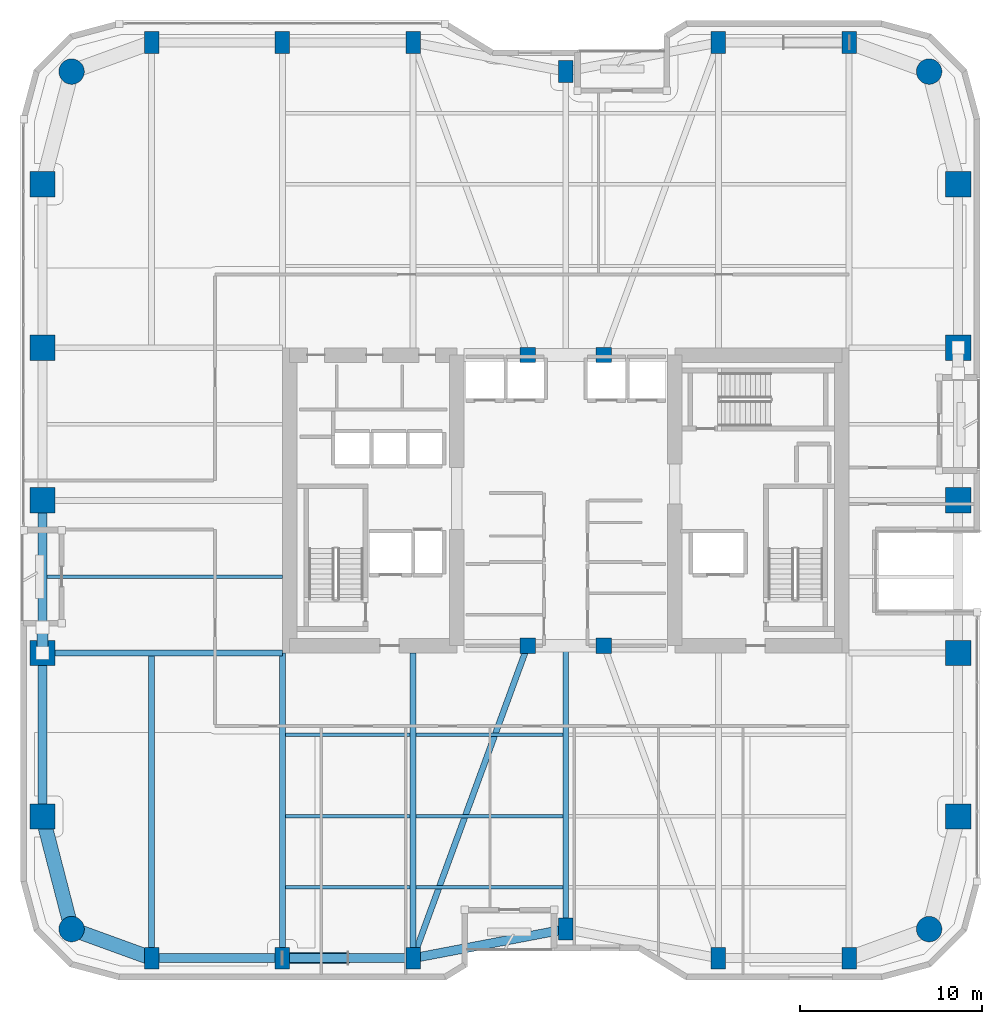
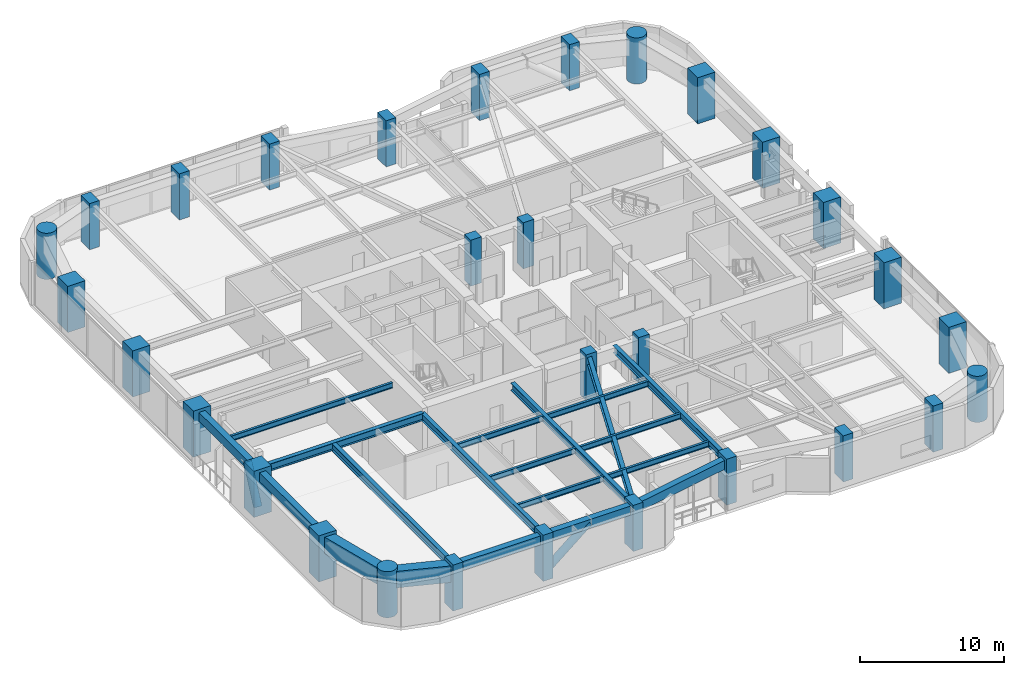
# One storey, part 1 of 24: 30 columns, 20 beams, 2 members.
"""IFC4 building model written with IfcOpenShell, lengths in metres."""

from ifc_helpers import new_model, si_unit, direction, frame, origin, origin_2d, place, context, subcontext, project, spatial, rectangle, circle, hollow_circle, i_section, extrude, material, material_profile, profile_set, type_object, element, save


model = new_model("IFC4")

# Units and contexts
model_context = context("Model", 3, precision=1e-05, world=origin(), true_north=direction((0.0, 1.0)))
body_context = subcontext(model_context, "Body", "Model", "MODEL_VIEW")
ifc_project = project(units=[si_unit("LENGTHUNIT", "METRE"), si_unit("AREAUNIT", "SQUARE_METRE"), si_unit("VOLUMEUNIT", "CUBIC_METRE"), si_unit("PLANEANGLEUNIT", "RADIAN"), si_unit("MASSUNIT", "GRAM", prefix="KILO")], contexts=[model_context])

# Site, building, storey
site_placement = place(None, origin())
site = spatial("IfcSite", under=ifc_project, at=site_placement, CompositionType="ELEMENT")
building_placement = place(site_placement, origin())
building = spatial("IfcBuilding", under=site, at=building_placement, Name="Kiyonajd Concourse Tower", CompositionType="ELEMENT")
storey_placement = place(building_placement, frame((0.0, 0.0, 129.89990234375)))
storey = spatial("IfcBuildingStorey", under=building, at=storey_placement, Name="L33", CompositionType="ELEMENT", Elevation=129.89990234375)

# Columns
ifc_material_1 = material(Name="Concrete C70/85", Category="concrete")
ifc_material_profile_1 = material_profile(ifc_material_1, rectangle(XDim=0.800048828125, YDim=1.199951171875, at=origin_2d()), Name="RC-1200x800")
ifc_profile_set_1 = profile_set([ifc_material_profile_1], Name="Concrete C70/85")
column_type_1 = type_object("IfcColumnType", Name="CL-BLADE-1200", PredefinedType="COLUMN", material=ifc_profile_set_1)
for number, where, z_axis, x_axis, name in (
    (1, (25.199951171875, 10.800048828125, 0.0), (0.0, 0.0, 1.0), (1.0, 0.0, 0.0), "L33 Perimeter Bundled Tube Column"),
    (2, (25.199951171875, 61.199951171875, 0.0), (0.0, 0.0, 1.0), (1.0, 0.0, 0.0), "L33 Perimeter Bundled Tube Column"),
    (3, (32.39990234375, 10.800048828125, 0.0), (0.0, 0.0, 1.0), (1.0, 0.0, 0.0), "L33 Perimeter Bundled Tube Column"),
    (4, (32.39990234375, 61.199951171875, 0.0), (0.0, 0.0, 1.0), (1.0, 0.0, 0.0), "L33 Perimeter Bundled Tube Column"),
    (5, (39.60009765625, 10.800048828125, 0.0), (0.0, 0.0, 1.0), (1.0, 0.0, 0.0), "L33 Perimeter Bundled Tube Column"),
    (6, (39.60009765625, 61.199951171875, 0.0), (0.0, 0.0, 1.0), (1.0, 0.0, 0.0), "L33 Perimeter Bundled Tube Column"),
    (7, (48.0, 12.39990234375, 0.0), (0.0, 0.0, 1.0), (1.0, 0.0, 0.0), "L33 Perimeter Bundled Tube Column"),
    (8, (48.0, 59.60009765625, 0.0), (0.0, 0.0, 1.0), (1.0, 0.0, 0.0), "L33 Perimeter Bundled Tube Column"),
    (9, (56.39990234375, 10.800048828125, 0.0), (0.0, 0.0, 1.0), (1.0, 0.0, 0.0), "L33 Perimeter Bundled Tube Column"),
    (10, (56.39990234375, 61.199951171875, 0.0), (0.0, 0.0, 1.0), (1.0, 0.0, 0.0), "L33 Perimeter Bundled Tube Column"),
    (11, (63.60009765625, 10.800048828125, 0.0), (0.0, 0.0, 1.0), (1.0, 0.0, 0.0), "L33 Perimeter Bundled Tube Column"),
    (12, (63.60009765625, 61.199951171875, 0.0), (0.0, 0.0, 1.0), (1.0, 0.0, 0.0), "L33 Perimeter Bundled Tube Column"),
):
    element("IfcColumn", number, at=place(storey_placement, frame(where, z_axis=z_axis, x_axis=x_axis)), inside=storey, type_object=column_type_1, Name=name, PredefinedType="COLUMN", context=body_context, shape_type="SweptSolid", body=[
        extrude(rectangle(XDim=0.800048828125, YDim=1.199951171875, at=origin_2d()), origin(), (0.0, 0.0, 1.0), 3.900146484375),
    ])
ifc_material_2 = material(Name="Concrete C80/95", Category="concrete")
ifc_material_profile_2 = material_profile(ifc_material_2, circle(Radius=0.699951171875, at=origin_2d()), Name="RCC-D1400")
ifc_profile_set_2 = profile_set([ifc_material_profile_2], Name="Concrete C80/95")
column_type_2 = type_object("IfcColumnType", Name="CL-RND-1400", PredefinedType="COLUMN", material=ifc_profile_set_2)
for number, where, z_axis, x_axis, name in (
    (13, (20.800048828125, 12.39990234375, 0.0), (0.0, 0.0, 1.0), (1.0, 0.0, 0.0), "L33 Bundled Tube Corner Column South West"),
    (14, (68.0, 12.39990234375, 0.0), (0.0, 0.0, 1.0), (1.0, 0.0, 0.0), "L33 Bundled Tube Corner Column South East"),
    (15, (68.0, 59.60009765625, 0.0), (0.0, 0.0, 1.0), (1.0, 0.0, 0.0), "L33 Bundled Tube Corner Column North East"),
    (16, (20.800048828125, 59.60009765625, 0.0), (0.0, 0.0, 1.0), (1.0, 0.0, 0.0), "L33 Bundled Tube Corner Column North West"),
):
    element("IfcColumn", number, at=place(storey_placement, frame(where, z_axis=z_axis, x_axis=x_axis)), inside=storey, type_object=column_type_2, Name=name, PredefinedType="COLUMN", context=body_context, shape_type="SweptSolid", body=[
        extrude(circle(Radius=0.699951171875, at=origin_2d()), origin(), (0.0, 0.0, 1.0), 3.900146484375),
    ])
ifc_material_profile_3 = material_profile(ifc_material_1, rectangle(XDim=1.39990234375, YDim=1.39990234375, at=origin_2d()), Name="RC-1400x1400")
ifc_profile_set_3 = profile_set([ifc_material_profile_3], Name="Concrete C70/85")
column_type_3 = type_object("IfcColumnType", Name="CL-TUBE-1400", PredefinedType="COLUMN", material=ifc_profile_set_3)
for number, where, z_axis, x_axis, name in (
    (17, (19.199951171875, 18.60009765625, 0.0), (0.0, 0.0, 1.0), (1.0, 0.0, 0.0), "L33 Perimeter Bundled Tube Column"),
    (18, (69.60009765625, 18.60009765625, 0.0), (0.0, 0.0, 1.0), (1.0, 0.0, 0.0), "L33 Perimeter Bundled Tube Column"),
    (19, (19.199951171875, 27.60009765625, 0.0), (0.0, 0.0, 1.0), (1.0, 0.0, 0.0), "L33 Perimeter Bundled Tube Column"),
    (20, (69.60009765625, 27.60009765625, 0.0), (0.0, 0.0, 1.0), (1.0, 0.0, 0.0), "L33 Perimeter Bundled Tube Column"),
    (21, (19.199951171875, 36.0, 0.0), (0.0, 0.0, 1.0), (1.0, 0.0, 0.0), "L33 Perimeter Bundled Tube Column"),
    (22, (69.60009765625, 36.0, 0.0), (0.0, 0.0, 1.0), (1.0, 0.0, 0.0), "L33 Perimeter Bundled Tube Column"),
    (23, (19.199951171875, 44.39990234375, 0.0), (0.0, 0.0, 1.0), (1.0, 0.0, 0.0), "L33 Perimeter Bundled Tube Column"),
    (24, (69.60009765625, 44.39990234375, 0.0), (0.0, 0.0, 1.0), (1.0, 0.0, 0.0), "L33 Perimeter Bundled Tube Column"),
    (25, (19.199951171875, 53.39990234375, 0.0), (0.0, 0.0, 1.0), (1.0, 0.0, 0.0), "L33 Perimeter Bundled Tube Column"),
    (26, (69.60009765625, 53.39990234375, 0.0), (0.0, 0.0, 1.0), (1.0, 0.0, 0.0), "L33 Perimeter Bundled Tube Column"),
):
    element("IfcColumn", number, at=place(storey_placement, frame(where, z_axis=z_axis, x_axis=x_axis)), inside=storey, type_object=column_type_3, Name=name, PredefinedType="COLUMN", context=body_context, shape_type="SweptSolid", body=[
        extrude(rectangle(XDim=1.39990234375, YDim=1.39990234375, at=origin_2d()), origin(), (0.0, 0.0, 1.0), 3.900146484375),
    ])
ifc_material_3 = material(Name="Concrete C60/75", Category="concrete")
ifc_material_profile_4 = material_profile(ifc_material_3, rectangle(XDim=0.85009765625, YDim=0.85009765625, at=origin_2d()), Name="RC-850x850")
ifc_profile_set_4 = profile_set([ifc_material_profile_4], Name="Concrete C60/75")
column_type_4 = type_object("IfcColumnType", Name="CL-TUBE-850", PredefinedType="COLUMN", material=ifc_profile_set_4)
for number, where, z_axis, x_axis, name in (
    (27, (45.89990234375, 28.0, 0.0), (0.0, 0.0, 1.0), (1.0, 0.0, 0.0), "L33 Core Tie Column South West"),
    (28, (50.10009765625, 28.0, 0.0), (0.0, 0.0, 1.0), (1.0, 0.0, 0.0), "L33 Core Tie Column South East"),
    (29, (45.89990234375, 44.0, 0.0), (0.0, 0.0, 1.0), (1.0, 0.0, 0.0), "L33 Core Tie Column North West"),
    (30, (50.10009765625, 44.0, 0.0), (0.0, 0.0, 1.0), (1.0, 0.0, 0.0), "L33 Core Tie Column North East"),
):
    element("IfcColumn", number, at=place(storey_placement, frame(where, z_axis=z_axis, x_axis=x_axis)), inside=storey, type_object=column_type_4, Name=name, PredefinedType="COLUMN", context=body_context, shape_type="SweptSolid", body=[
        extrude(rectangle(XDim=0.85009765625, YDim=0.85009765625, at=origin_2d()), origin(), (0.0, 0.0, 1.0), 3.900146484375),
    ])

# Beams
ifc_material_4 = material(Name="Steel ASTM A992 Grade 50", Category="steel")
ifc_material_profile_5 = material_profile(ifc_material_4, i_section(OverallWidth=0.19189453125, OverallDepth=0.462890625, WebThickness=0.010498046875, FlangeThickness=0.017578125, at=origin_2d()), Name="W460X89")
ifc_profile_set_5 = profile_set([ifc_material_profile_5], Name="Steel ASTM A992 Grade 50")
beam_type_1 = type_object("IfcBeamType", Name="BM-JST-460B", PredefinedType="JOIST", material=ifc_profile_set_5)
beam_1_placement = place(storey_placement, frame((32.5634765625, 14.699951171875, 3.40869140625), z_axis=(1.0, 0.0, 0.0), x_axis=(0.0, 1.0, 0.0)))
element("IfcBeam", 31, at=beam_1_placement, inside=storey, type_object=beam_type_1, Name="L33 Secondary Floor Joist", PredefinedType="JOIST", context=body_context, shape_type="SweptSolid", body=[
    extrude(i_section(OverallWidth=0.19189453125, OverallDepth=0.462890625, WebThickness=0.010498046875, FlangeThickness=0.017578125, at=origin_2d()), origin(), (0.0, 0.0, 1.0), 6.873046875),
])
beam_2_placement = place(storey_placement, frame((39.763427734375, 14.699951171875, 3.40869140625), z_axis=(1.0, 0.0, 0.0), x_axis=(0.0, 1.0, 0.0)))
element("IfcBeam", 32, at=beam_2_placement, inside=storey, type_object=beam_type_1, Name="L33 Secondary Floor Joist", PredefinedType="JOIST", context=body_context, shape_type="SweptSolid", body=[
    extrude(i_section(OverallWidth=0.19189453125, OverallDepth=0.462890625, WebThickness=0.010498046875, FlangeThickness=0.017578125, at=origin_2d()), origin(), (0.0, 0.0, 1.0), 8.072998046875),
])
beam_3_placement = place(storey_placement, frame((32.5634765625, 18.60009765625, 3.40869140625), z_axis=(1.0, 0.0, 0.0), x_axis=(0.0, 1.0, 0.0)))
element("IfcBeam", 33, at=beam_3_placement, inside=storey, type_object=beam_type_1, Name="L33 Secondary Floor Joist", PredefinedType="JOIST", context=body_context, shape_type="SweptSolid", body=[
    extrude(i_section(OverallWidth=0.19189453125, OverallDepth=0.462890625, WebThickness=0.010498046875, FlangeThickness=0.017578125, at=origin_2d()), origin(), (0.0, 0.0, 1.0), 6.873046875),
])
beam_4_placement = place(storey_placement, frame((39.763427734375, 18.60009765625, 3.40869140625), z_axis=(1.0, 0.0, 0.0), x_axis=(0.0, 1.0, 0.0)))
element("IfcBeam", 34, at=beam_4_placement, inside=storey, type_object=beam_type_1, Name="L33 Secondary Floor Joist", PredefinedType="JOIST", context=body_context, shape_type="SweptSolid", body=[
    extrude(i_section(OverallWidth=0.19189453125, OverallDepth=0.462890625, WebThickness=0.010498046875, FlangeThickness=0.017578125, at=origin_2d()), origin(), (0.0, 0.0, 1.0), 8.072998046875),
])
beam_5_placement = place(storey_placement, frame((32.5634765625, 23.10009765625, 3.40869140625), z_axis=(1.0, 0.0, 0.0), x_axis=(0.0, 1.0, 0.0)))
element("IfcBeam", 35, at=beam_5_placement, inside=storey, type_object=beam_type_1, Name="L33 Secondary Floor Joist", PredefinedType="JOIST", context=body_context, shape_type="SweptSolid", body=[
    extrude(i_section(OverallWidth=0.19189453125, OverallDepth=0.462890625, WebThickness=0.010498046875, FlangeThickness=0.017578125, at=origin_2d()), origin(), (0.0, 0.0, 1.0), 6.873046875),
])
beam_6_placement = place(storey_placement, frame((39.763427734375, 23.10009765625, 3.40869140625), z_axis=(1.0, 0.0, 0.0), x_axis=(0.0, 1.0, 0.0)))
element("IfcBeam", 36, at=beam_6_placement, inside=storey, type_object=beam_type_1, Name="L33 Secondary Floor Joist", PredefinedType="JOIST", context=body_context, shape_type="SweptSolid", body=[
    extrude(i_section(OverallWidth=0.19189453125, OverallDepth=0.462890625, WebThickness=0.010498046875, FlangeThickness=0.017578125, at=origin_2d()), origin(), (0.0, 0.0, 1.0), 8.072998046875),
])
beam_7_placement = place(storey_placement, frame((19.449951171875, 31.800048828125, 3.40869140625), z_axis=(1.0, 0.0, 0.0), x_axis=(0.0, 1.0, 0.0)))
element("IfcBeam", 37, at=beam_7_placement, inside=storey, type_object=beam_type_1, Name="L33 West Secondary Floor Joist", PredefinedType="JOIST", context=body_context, shape_type="SweptSolid", body=[
    extrude(i_section(OverallWidth=0.19189453125, OverallDepth=0.462890625, WebThickness=0.010498046875, FlangeThickness=0.017578125, at=origin_2d()), origin(), (0.0, 0.0, 1.0), 12.949951171875),
])
ifc_material_5 = material(Name="Precast concrete C50/60", Category="concrete")
ifc_material_profile_6 = material_profile(ifc_material_5, rectangle(XDim=0.5, YDim=0.75, at=origin_2d()), Name="RCBM-500x750")
ifc_profile_set_6 = profile_set([ifc_material_profile_6], Name="Precast concrete C50/60")
beam_type_2 = type_object("IfcBeamType", Name="BM-SPAN-RC", PredefinedType="SPANDREL", material=ifc_profile_set_6)
beam_8_placement = place(storey_placement, frame((19.199951171875, 27.60009765625, 3.26513671875), z_axis=(0.0, -1.0, 0.0), x_axis=(1.0, 0.0, 0.0)))
element("IfcBeam", 38, at=beam_8_placement, inside=storey, type_object=beam_type_2, Name="L33 Perimeter Bundled Tube Spandrel", PredefinedType="SPANDREL", context=body_context, shape_type="SweptSolid", body=[
    extrude(rectangle(XDim=0.5, YDim=0.75, at=origin_2d()), origin(), (0.0, 0.0, 1.0), 9.0),
])
beam_9_placement = place(storey_placement, frame((25.199951171875, 10.800048828125, 3.26513671875), z_axis=(1.0, 0.0, 0.0), x_axis=(0.0, 1.0, 0.0)))
element("IfcBeam", 39, at=beam_9_placement, inside=storey, type_object=beam_type_2, Name="L33 Perimeter Bundled Tube Spandrel", PredefinedType="SPANDREL", context=body_context, shape_type="SweptSolid", body=[
    extrude(rectangle(XDim=0.5, YDim=0.75, at=origin_2d()), origin(), (0.0, 0.0, 1.0), 7.199951171875),
])
beam_10_placement = place(storey_placement, frame((32.39990234375, 10.800048828125, 3.26513671875), z_axis=(1.0, 0.0, 0.0), x_axis=(0.0, 1.0, 0.0)))
element("IfcBeam", 40, at=beam_10_placement, inside=storey, type_object=beam_type_2, Name="L33 Perimeter Bundled Tube Spandrel", PredefinedType="SPANDREL", context=body_context, shape_type="SweptSolid", body=[
    extrude(rectangle(XDim=0.5, YDim=0.75, at=origin_2d()), origin(), (0.0, 0.0, 1.0), 7.2001953125),
])
beam_11_placement = place(storey_placement, frame((39.60009765625, 10.800048828125, 3.26513671875), z_axis=(0.982341315253, 0.187097675953, 0.0), x_axis=(-0.187097675953, 0.982341315253, 0.0)))
element("IfcBeam", 41, at=beam_11_placement, inside=storey, type_object=beam_type_2, Name="L33 Perimeter Bundled Tube Spandrel", PredefinedType="SPANDREL", context=body_context, shape_type="SweptSolid", body=[
    extrude(rectangle(XDim=0.5, YDim=0.75, at=origin_2d()), origin(), (0.0, 0.0, 1.0), 8.55078125),
])
beam_12_placement = place(storey_placement, frame((19.199951171875, 36.0, 3.26513671875), z_axis=(0.0, -1.0, 0.0), x_axis=(1.0, 0.0, 0.0)))
element("IfcBeam", 42, at=beam_12_placement, inside=storey, type_object=beam_type_2, Name="L33 Perimeter Bundled Tube Spandrel", PredefinedType="SPANDREL", context=body_context, shape_type="SweptSolid", body=[
    extrude(rectangle(XDim=0.5, YDim=0.75, at=origin_2d()), origin(), (0.0, 0.0, 1.0), 8.39990234375),
])
ifc_material_profile_7 = material_profile(ifc_material_4, i_section(OverallWidth=0.326904296875, OverallDepth=0.6220703125, WebThickness=0.015380859375, FlangeThickness=0.0244140625, at=origin_2d()), Name="W610X195")
ifc_profile_set_7 = profile_set([ifc_material_profile_7], Name="Steel ASTM A992 Grade 50")
beam_type_3 = type_object("IfcBeamType", Name="BM-TWR-610A", PredefinedType="BEAM", material=ifc_profile_set_7)
beam_13_placement = place(storey_placement, frame((39.60009765625, 10.800048828125, 3.3291015625), z_axis=(0.343925269715, 0.938997022813, 0.0), x_axis=(-0.938997022813, 0.343925269715, 0.0)))
element("IfcBeam", 43, at=beam_13_placement, inside=storey, type_object=beam_type_3, Name="L33 Core Tie Girder", PredefinedType="BEAM", context=body_context, shape_type="SweptSolid", body=[
    extrude(i_section(OverallWidth=0.326904296875, OverallDepth=0.6220703125, WebThickness=0.015380859375, FlangeThickness=0.0244140625, at=origin_2d()), origin(), (0.0, 0.0, 1.0), 18.3173828125),
])
for number, where, z_axis, x_axis, name in (
    (44, (25.199951171875, 10.800048828125, 3.3291015625), (0.0, 1.0, 0.0), (-1.0, 0.0, 0.0), "L33 South Lease Girder"),
    (45, (32.39990234375, 10.800048828125, 3.3291015625), (0.0, 1.0, 0.0), (-1.0, 0.0, 0.0), "L33 South Lease Girder"),
    (46, (39.60009765625, 10.800048828125, 3.3291015625), (0.0, 1.0, 0.0), (-1.0, 0.0, 0.0), "L33 South Lease Girder"),
):
    element("IfcBeam", number, at=place(storey_placement, frame(where, z_axis=z_axis, x_axis=x_axis)), inside=storey, type_object=beam_type_3, Name=name, PredefinedType="BEAM", context=body_context, shape_type="SweptSolid", body=[
        extrude(i_section(OverallWidth=0.326904296875, OverallDepth=0.6220703125, WebThickness=0.015380859375, FlangeThickness=0.0244140625, at=origin_2d()), origin(), (0.0, 0.0, 1.0), 16.800048828125),
    ])
beam_14_placement = place(storey_placement, frame((48.0, 12.39990234375, 3.3291015625), z_axis=(0.0, 1.0, 0.0), x_axis=(-1.0, 0.0, 0.0)))
element("IfcBeam", 47, at=beam_14_placement, inside=storey, type_object=beam_type_3, Name="L33 South Ribbon Girder", PredefinedType="BEAM", context=body_context, shape_type="SweptSolid", body=[
    extrude(i_section(OverallWidth=0.326904296875, OverallDepth=0.6220703125, WebThickness=0.015380859375, FlangeThickness=0.0244140625, at=origin_2d()), origin(), (0.0, 0.0, 1.0), 15.60009765625),
])
beam_15_placement = place(storey_placement, frame((19.199951171875, 27.60009765625, 3.3291015625), z_axis=(1.0, 0.0, 0.0), x_axis=(0.0, 1.0, 0.0)))
element("IfcBeam", 48, at=beam_15_placement, inside=storey, type_object=beam_type_3, Name="L33 West Lease Girder", PredefinedType="BEAM", context=body_context, shape_type="SweptSolid", body=[
    extrude(i_section(OverallWidth=0.326904296875, OverallDepth=0.6220703125, WebThickness=0.015380859375, FlangeThickness=0.0244140625, at=origin_2d()), origin(), (0.0, 0.0, 1.0), 13.199951171875),
])
ifc_material_profile_8 = material_profile(ifc_material_3, rectangle(XDim=0.800048828125, YDim=1.39990234375, at=origin_2d()), Name="RCBM-800x1400")
ifc_profile_set_8 = profile_set([ifc_material_profile_8], Name="Concrete C60/75")
beam_type_4 = type_object("IfcBeamType", Name="BM-XFER-RC", PredefinedType="BEAM", material=ifc_profile_set_8)
beam_16_placement = place(storey_placement, frame((19.199951171875, 18.60009765625, 2.940185546875), z_axis=(0.249884937687, -0.968275538221, 0.0), x_axis=(0.968275538221, 0.249884937687, 0.0)))
element("IfcBeam", 49, at=beam_16_placement, inside=storey, type_object=beam_type_4, Name="L33 Perimeter Bundled Tube Spandrel", PredefinedType="BEAM", context=body_context, shape_type="SweptSolid", body=[
    extrude(rectangle(XDim=0.800048828125, YDim=1.39990234375, at=origin_2d()), origin(), (0.0, 0.0, 1.0), 6.4033203125),
])
beam_17_placement = place(storey_placement, frame((20.800048828125, 12.39990234375, 2.940185546875), z_axis=(0.939801036019, -0.341722127901, 0.0), x_axis=(0.341722127901, 0.939801036019, 0.0)))
element("IfcBeam", 50, at=beam_17_placement, inside=storey, type_object=beam_type_4, Name="L33 Perimeter Bundled Tube Spandrel", PredefinedType="BEAM", context=body_context, shape_type="SweptSolid", body=[
    extrude(rectangle(XDim=0.800048828125, YDim=1.39990234375, at=origin_2d()), origin(), (0.0, 0.0, 1.0), 4.681640625),
])

# Members
ifc_material_6 = material(Name="Steel ASTM A572 Grade 50", Category="steel")
ifc_material_profile_9 = material_profile(ifc_material_6, hollow_circle(Radius=0.304931640625, WallThickness=0.02490234375, at=origin_2d()), Name="CHS-610x25")
ifc_profile_set_9 = profile_set([ifc_material_profile_9], Name="Steel ASTM A572 Grade 50")
member_type = type_object("IfcMemberType", Name="MB-PB-LOW", PredefinedType="BRACE", material=ifc_profile_set_9)
member_1_placement = place(storey_placement, frame((32.39990234375, 10.800048828125, 0.300048828125), z_axis=(0.769280705518, 0.0, 0.638910945373), x_axis=(0.0, 1.0, 0.0)))
element("IfcMember", 51, at=member_1_placement, inside=storey, type_object=member_type, Name="L33 Lower Zone Welded Tube Brace PBS", PredefinedType="BRACE", context=body_context, shape_type="SweptSolid", body=[
    extrude(hollow_circle(Radius=0.304931640625, WallThickness=0.02490234375, at=origin_2d()), origin(), (0.0, 0.0, 1.0), 4.679931640625),
])
member_2_placement = place(storey_placement, frame((19.199951171875, 27.60009765625, 0.300048828125), z_axis=(0.0, 0.424022702926, 0.905651559598), x_axis=(-1.0, 0.0, 0.0)))
element("IfcMember", 52, at=member_2_placement, inside=storey, type_object=member_type, Name="L33 Lower Zone Welded Tube Brace PBW", PredefinedType="BRACE", context=body_context, shape_type="SweptSolid", body=[
    extrude(hollow_circle(Radius=0.304931640625, WallThickness=0.02490234375, at=origin_2d()), origin(), (0.0, 0.0, 1.0), 3.301513671875),
])

save(model, "model.ifc")
